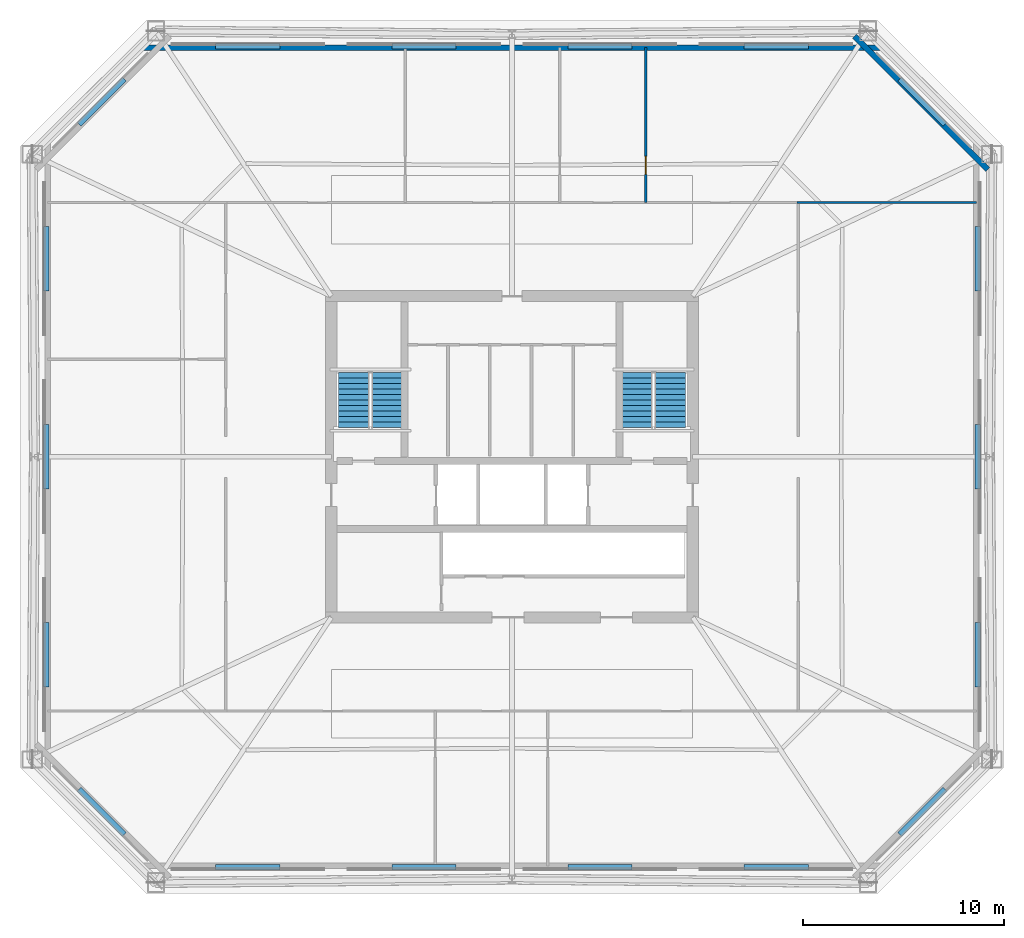
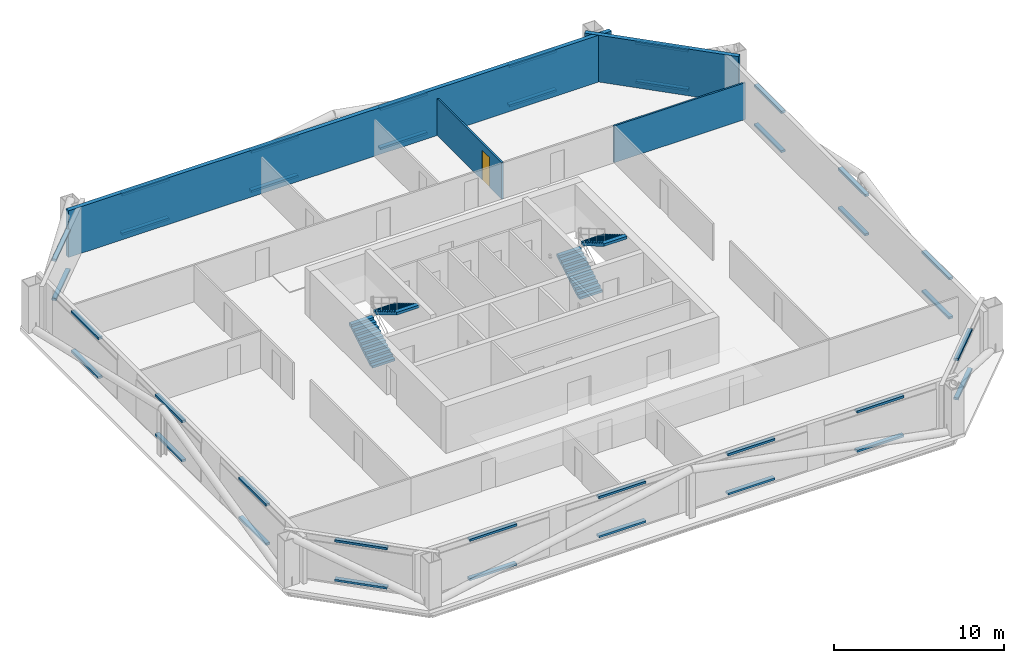
# One storey, part 4 of 6: 36 discrete accessories, 4 stair flights, 4 walls, 1 door, 1 opening, 2 elements without a shape of their own.
"""IFC4 building model written with IfcOpenShell, lengths in metres."""

from ifc_helpers import new_model, si_unit, direction, frame, frame_2d, origin, origin_2d, place, context, subcontext, project, spatial, polyline, rectangle, outline, extrude, material, layer, layer_set, type_object, element, fill, aggregate, save


model = new_model("IFC4")

# Units and contexts
model_context = context("Model", 3, precision=1e-05, world=origin(), true_north=direction((0.0, 1.0)))
body_context = subcontext(model_context, "Body", "Model", "MODEL_VIEW")
ifc_project = project(units=[si_unit("LENGTHUNIT", "METRE"), si_unit("AREAUNIT", "SQUARE_METRE"), si_unit("VOLUMEUNIT", "CUBIC_METRE"), si_unit("PLANEANGLEUNIT", "RADIAN"), si_unit("MASSUNIT", "GRAM", prefix="KILO")], contexts=[model_context])

# Site, building, storey
site_placement = place(None, origin())
site = spatial("IfcSite", under=ifc_project, at=site_placement, CompositionType="ELEMENT")
building_placement = place(site_placement, origin())
building = spatial("IfcBuilding", under=site, at=building_placement, Name="Caelvoria Tower", CompositionType="ELEMENT")
storey_placement = place(building_placement, frame((0.0, 0.0, 149.199951171875)))
storey = spatial("IfcBuildingStorey", under=building, at=storey_placement, Name="L39", CompositionType="ELEMENT", Elevation=149.199951171875)

# Walls
ifc_material_1 = material(Name="Precast Concrete C40/50 with Bronze Cladding", Category="concrete")
ifc_layer_1 = layer(ifc_material_1, 0.280029296875, Name="Precast Concrete C40/50 with Bronze Cladding")
ifc_layer_set_1 = layer_set([ifc_layer_1], Name="Exterior Precast Concrete C40/50 Bronze-Clad Facade Wall 280 - Precast Concrete C40/50 with Bronze Cladding")
wall_type_1 = type_object("IfcWallType", Name="Exterior Precast Concrete C40/50 Bronze-Clad Facade Wall 280", PredefinedType="STANDARD", material=ifc_layer_set_1)
wall_1_placement = place(storey_placement, frame((69.69384765625, 46.304443359375, 0.0), z_axis=(0.0, 0.0, 1.0), x_axis=(-0.707106781187, 0.707106781187, 0.0)))
element("IfcWall", 1, at=wall_1_placement, inside=storey, type_object=wall_type_1, Name="Exterior Facade Wall L39-E3", PredefinedType="STANDARD", context=body_context, shape_type="SweptSolid", body=[
    extrude(rectangle(XDim=9.3896484375, YDim=0.280029296875, at=frame_2d((4.69482421875, 0.0))), origin(), (0.0, 0.0, 1.0), 3.360107421875),
])
wall_2_placement = place(storey_placement, frame((64.43994140625, 52.3701171875, 0.0), z_axis=(0.0, 0.0, 1.0), x_axis=(-1.0, 0.0, 0.0)))
element("IfcWall", 2, at=wall_2_placement, inside=storey, type_object=wall_type_1, Name="Exterior Facade Wall L39-E4", PredefinedType="STANDARD", context=body_context, shape_type="SweptSolid", body=[
    extrude(rectangle(XDim=36.8798828125, YDim=0.280029296875, at=frame_2d((18.43994140625, 0.0))), origin(), (0.0, 0.0, 1.0), 3.360107421875),
])

# Wall, opening, door
ifc_material_2 = material(Name="Acoustic Gypsum Board on Light-Gauge Stud", Category="gypsum")
ifc_layer_2 = layer(ifc_material_2, 0.1201171875, Name="Acoustic Gypsum Board on Light-Gauge Stud")
ifc_layer_set_2 = layer_set([ifc_layer_2], Name="Tenant Suite Acoustic Partition Wall 120 - Acoustic Gypsum Board on Light-Gauge Stud")
wall_type_2 = type_object("IfcWallType", Name="Tenant Suite Acoustic Partition Wall 120", PredefinedType="PARTITIONING", material=ifc_layer_set_2)
wall_3_placement = place(storey_placement, frame((52.662109375, 44.659912109375, 0.0), z_axis=(0.0, 0.0, 1.0), x_axis=(0.0, 1.0, 0.0)))
wall_3 = element("IfcWall", 3, at=wall_3_placement, inside=storey, type_object=wall_type_2, Name="Interior Partition IW-L39-ND-02-0", PredefinedType="PARTITIONING", context=body_context, shape_type="SweptSolid", body=[
    extrude(rectangle(XDim=7.710205078125, YDim=0.1201171875, at=frame_2d((3.85498046875, 0.0))), origin(), (0.0, 0.0, 1.0), 2.64013671875),
])
opening_placement = place(wall_3_placement, frame((1.39990234375, 0.0, 0.0)))
opening = element("IfcOpeningElement", 4, at=opening_placement, cuts=wall_3, Name="Opening ID-06", PredefinedType="OPENING", context=body_context, shape_type="SweptSolid", body=[
    extrude(rectangle(XDim=0.89990234375, YDim=2.14990234375, at=frame_2d((0.449951171875, 1.074951171875))), frame((0.0, 0.070068359375, 0.0), z_axis=(0.0, -1.0, 0.0), x_axis=(1.0, 0.0, 0.0)), (0.0, 0.0, 1.0), 0.14013671875),
])
ifc_material_3 = material(Name="Engineered Andean Oak Veneer Door", Category="wood")
door_type = type_object("IfcDoorType", Name="Interior Timber Door 900x2150", OperationType="NOTDEFINED", PredefinedType="DOOR", material=ifc_material_3)
door_placement = place(opening_placement, origin())
door = element("IfcDoor", 5, at=door_placement, inside=storey, type_object=door_type, Name="Interior Door DR-L39-NM-02-0", OperationType="SINGLE_SWING_RIGHT", OverallHeight=2.14990234375, OverallWidth=0.89990234375, PredefinedType="DOOR", context=body_context, shape_type="SweptSolid", body=[
    extrude(rectangle(XDim=0.89990234375, YDim=2.14990234375, at=frame_2d((0.449951171875, 1.074951171875))), frame((0.0, 0.02490234375, 0.0), z_axis=(0.0, -1.0, 0.0), x_axis=(1.0, 0.0, 0.0)), (0.0, 0.0, 1.0), 0.050048828125),
])
fill(opening, door)

# Wall
wall_4_placement = place(storey_placement, frame((60.199951171875, 44.659912109375, 0.0), z_axis=(0.0, 0.0, 1.0), x_axis=(1.0, 0.0, 0.0)))
element("IfcWall", 6, at=wall_4_placement, inside=storey, type_object=wall_type_2, Name="Interior Partition IW-L39-BNE-0", PredefinedType="PARTITIONING", context=body_context, shape_type="SweptSolid", body=[
    extrude(rectangle(XDim=8.920166015625, YDim=0.1201171875, at=frame_2d((4.4599609375, 0.0))), origin(), (0.0, 0.0, 1.0), 2.64013671875),
])

# Stair, stair flights
ifc_material_4 = material(Name="Concrete C40/50", Category="concrete")
stair_type = type_object("IfcStairType", Name="Core Smokeproof Dogleg Stair Concrete C40/50", PredefinedType="HALF_TURN_STAIR", material=ifc_material_4)
stair_1_placement = place(storey_placement, origin())
stair_1 = element("IfcStair", 7, at=stair_1_placement, inside=storey, type_object=stair_type, Name="ST-01 Smokeproof Exit Stair L39", PredefinedType="HALF_TURN_STAIR")
ifc_material_5 = material(Name="Precast Concrete C40/50", Category="concrete")
stair_flight_type = type_object("IfcStairFlightType", Name="Precast Concrete C40/50 Stair Flight 1480", PredefinedType="STRAIGHT", material=ifc_material_5)
stair_flight_1_placement = place(storey_placement, frame((38.1298828125, 33.449951171875, 0.0), z_axis=(0.0, 0.0, 1.0), x_axis=(0.0, 1.0, 0.0)))
stair_flight_1 = element("IfcStairFlight", 8, at=stair_flight_1_placement, type_object=stair_flight_type, Name="ST-01 flight 1", NumberOfRisers=11, NumberOfTreads=10, PredefinedType="STRAIGHT", RiserHeight=0.1636, TreadLength=0.275, context=body_context, shape_type="SweptSolid", body=[
    extrude(outline(polyline([(0.0, 0.0), (0.0, 0.16357421875), (0.27490234375, 0.16357421875), (0.27490234375, 0.3271484375), (0.550048828125, 0.3271484375), (0.550048828125, 0.49072265625), (0.824951171875, 0.49072265625), (0.824951171875, 0.654296875), (1.10009765625, 0.654296875), (1.10009765625, 0.818115234375), (1.375, 0.818115234375), (1.375, 0.981689453125), (1.64990234375, 0.981689453125), (1.64990234375, 1.145263671875), (1.925048828125, 1.145263671875), (1.925048828125, 1.308837890625), (2.199951171875, 1.308837890625), (2.199951171875, 1.472412109375), (2.47509765625, 1.472412109375), (2.47509765625, 1.635986328125), (2.75, 1.635986328125), (2.75, 1.799560546875), (2.75, 1.449951171875), (0.312744140625, 0.0), (0.0, 0.0)])), frame((0.0, 0.77001953125, 0.0), z_axis=(0.0, -1.0, 0.0), x_axis=(1.0, 0.0, 0.0)), (0.0, 0.0, 1.0), 1.5400390625),
])
stair_flight_2_placement = place(storey_placement, frame((39.77001953125, 36.199951171875, 1.800048828125), z_axis=(0.0, 0.0, 1.0), x_axis=(0.0, -1.0, 0.0)))
stair_flight_2 = element("IfcStairFlight", 9, at=stair_flight_2_placement, type_object=stair_flight_type, Name="ST-01 flight 2", NumberOfRisers=11, NumberOfTreads=10, PredefinedType="STRAIGHT", RiserHeight=0.1636, TreadLength=0.275, context=body_context, shape_type="SweptSolid", body=[
    extrude(outline(polyline([(0.0, 0.0), (0.0, 0.16357421875), (0.27490234375, 0.16357421875), (0.27490234375, 0.3271484375), (0.550048828125, 0.3271484375), (0.550048828125, 0.49072265625), (0.824951171875, 0.49072265625), (0.824951171875, 0.654296875), (1.10009765625, 0.654296875), (1.10009765625, 0.818115234375), (1.375, 0.818115234375), (1.375, 0.981689453125), (1.64990234375, 0.981689453125), (1.64990234375, 1.145263671875), (1.925048828125, 1.145263671875), (1.925048828125, 1.308837890625), (2.199951171875, 1.308837890625), (2.199951171875, 1.472412109375), (2.47509765625, 1.472412109375), (2.47509765625, 1.635986328125), (2.75, 1.635986328125), (2.75, 1.799560546875), (2.75, 1.449951171875), (0.312744140625, 0.0), (0.0, 0.0)])), frame((0.0, 0.77001953125, 0.0), z_axis=(0.0, -1.0, 0.0), x_axis=(1.0, 0.0, 0.0)), (0.0, 0.0, 1.0), 1.5400390625),
])
aggregate(stair_1, [stair_flight_1, stair_flight_2])

stair_2_placement = place(storey_placement, origin())
stair_2 = element("IfcStair", 10, at=stair_2_placement, inside=storey, type_object=stair_type, Name="ST-02 Smokeproof Exit Stair L39", PredefinedType="HALF_TURN_STAIR")
stair_flight_3_placement = place(storey_placement, frame((52.22998046875, 33.449951171875, 0.0), z_axis=(0.0, 0.0, 1.0), x_axis=(0.0, 1.0, 0.0)))
stair_flight_3 = element("IfcStairFlight", 11, at=stair_flight_3_placement, type_object=stair_flight_type, Name="ST-02 flight 1", NumberOfRisers=11, NumberOfTreads=10, PredefinedType="STRAIGHT", RiserHeight=0.1636, TreadLength=0.275, context=body_context, shape_type="SweptSolid", body=[
    extrude(outline(polyline([(0.0, 0.0), (0.0, 0.16357421875), (0.27490234375, 0.16357421875), (0.27490234375, 0.3271484375), (0.550048828125, 0.3271484375), (0.550048828125, 0.49072265625), (0.824951171875, 0.49072265625), (0.824951171875, 0.654296875), (1.10009765625, 0.654296875), (1.10009765625, 0.818115234375), (1.375, 0.818115234375), (1.375, 0.981689453125), (1.64990234375, 0.981689453125), (1.64990234375, 1.145263671875), (1.925048828125, 1.145263671875), (1.925048828125, 1.308837890625), (2.199951171875, 1.308837890625), (2.199951171875, 1.472412109375), (2.47509765625, 1.472412109375), (2.47509765625, 1.635986328125), (2.75, 1.635986328125), (2.75, 1.799560546875), (2.75, 1.449951171875), (0.312744140625, 0.0), (0.0, 0.0)])), frame((0.0, 0.77001953125, 0.0), z_axis=(0.0, -1.0, 0.0), x_axis=(1.0, 0.0, 0.0)), (0.0, 0.0, 1.0), 1.5400390625),
])
stair_flight_4_placement = place(storey_placement, frame((53.8701171875, 36.199951171875, 1.800048828125), z_axis=(0.0, 0.0, 1.0), x_axis=(0.0, -1.0, 0.0)))
stair_flight_4 = element("IfcStairFlight", 12, at=stair_flight_4_placement, type_object=stair_flight_type, Name="ST-02 flight 2", NumberOfRisers=11, NumberOfTreads=10, PredefinedType="STRAIGHT", RiserHeight=0.1636, TreadLength=0.275, context=body_context, shape_type="SweptSolid", body=[
    extrude(outline(polyline([(0.0, 0.0), (0.0, 0.16357421875), (0.27490234375, 0.16357421875), (0.27490234375, 0.3271484375), (0.550048828125, 0.3271484375), (0.550048828125, 0.49072265625), (0.824951171875, 0.49072265625), (0.824951171875, 0.654296875), (1.10009765625, 0.654296875), (1.10009765625, 0.818115234375), (1.375, 0.818115234375), (1.375, 0.981689453125), (1.64990234375, 0.981689453125), (1.64990234375, 1.145263671875), (1.925048828125, 1.145263671875), (1.925048828125, 1.308837890625), (2.199951171875, 1.308837890625), (2.199951171875, 1.472412109375), (2.47509765625, 1.472412109375), (2.47509765625, 1.635986328125), (2.75, 1.635986328125), (2.75, 1.799560546875), (2.75, 1.449951171875), (0.312744140625, 0.0), (0.0, 0.0)])), frame((0.0, 0.77001953125, 0.0), z_axis=(0.0, -1.0, 0.0), x_axis=(1.0, 0.0, 0.0)), (0.0, 0.0, 1.0), 1.5400390625),
])
aggregate(stair_2, [stair_flight_3, stair_flight_4])

# Discrete accessories
ifc_material_6 = material(Name="Anodised Bronze Stainless Bracket", Category="bronze")
discrete_accessory_type = type_object("IfcDiscreteAccessoryType", Name="Solar Screen Outrigger Support Bracket", PredefinedType="BRACKET", material=ifc_material_6)
for number, where, z_axis, x_axis, name in (
    (13, (32.844970703125, 11.552978515625, 0.240234375), (0.0, 0.0, 1.0), (1.0, 0.0, 0.0), "Solar Screen Bracket L39-E0-00"),
    (14, (32.844970703125, 11.552978515625, 3.06005859375), (0.0, 0.0, 1.0), (1.0, 0.0, 0.0), "Upper Screen Band Bracket L39-E0-00"),
    (15, (41.614990234375, 11.552978515625, 0.240234375), (0.0, 0.0, 1.0), (1.0, 0.0, 0.0), "Solar Screen Bracket L39-E0-01"),
    (16, (41.614990234375, 11.552978515625, 3.06005859375), (0.0, 0.0, 1.0), (1.0, 0.0, 0.0), "Upper Screen Band Bracket L39-E0-01"),
    (17, (50.385009765625, 11.552978515625, 0.240234375), (0.0, 0.0, 1.0), (1.0, 0.0, 0.0), "Solar Screen Bracket L39-E0-02"),
    (18, (50.385009765625, 11.552978515625, 3.06005859375), (0.0, 0.0, 1.0), (1.0, 0.0, 0.0), "Upper Screen Band Bracket L39-E0-02"),
    (19, (59.155029296875, 11.552978515625, 0.240234375), (0.0, 0.0, 1.0), (1.0, 0.0, 0.0), "Solar Screen Bracket L39-E0-03"),
    (20, (59.155029296875, 11.552978515625, 3.06005859375), (0.0, 0.0, 1.0), (1.0, 0.0, 0.0), "Upper Screen Band Bracket L39-E0-03"),
    (21, (66.4287109375, 14.3212890625, 0.240234375), (0.0, 0.0, 1.0), (0.707106781187, 0.707106781187, 0.0), "Solar Screen Bracket L39-E1-00"),
    (22, (66.4287109375, 14.3212890625, 3.06005859375), (0.0, 0.0, 1.0), (0.707106781187, 0.707106781187, 0.0), "Upper Screen Band Bracket L39-E1-00"),
    (23, (69.197021484375, 22.139892578125, 0.240234375), (0.0, 0.0, 1.0), (0.0, 1.0, 0.0), "Solar Screen Bracket L39-E2-00"),
    (24, (69.197021484375, 22.139892578125, 3.06005859375), (0.0, 0.0, 1.0), (0.0, 1.0, 0.0), "Upper Screen Band Bracket L39-E2-00"),
    (25, (69.197021484375, 32.0, 0.240234375), (0.0, 0.0, 1.0), (0.0, 1.0, 0.0), "Solar Screen Bracket L39-E2-01"),
    (26, (69.197021484375, 32.0, 3.06005859375), (0.0, 0.0, 1.0), (0.0, 1.0, 0.0), "Upper Screen Band Bracket L39-E2-01"),
    (27, (69.197021484375, 41.860107421875, 0.240234375), (0.0, 0.0, 1.0), (0.0, 1.0, 0.0), "Solar Screen Bracket L39-E2-02"),
    (28, (69.197021484375, 41.860107421875, 3.06005859375), (0.0, 0.0, 1.0), (0.0, 1.0, 0.0), "Upper Screen Band Bracket L39-E2-02"),
    (29, (66.4287109375, 49.6787109375, 0.240234375), (0.0, 0.0, 1.0), (-0.707106781187, 0.707106781187, 0.0), "Solar Screen Bracket L39-E3-00"),
    (30, (66.4287109375, 49.6787109375, 3.06005859375), (0.0, 0.0, 1.0), (-0.707106781187, 0.707106781187, 0.0), "Upper Screen Band Bracket L39-E3-00"),
    (31, (59.155029296875, 52.447021484375, 0.240234375), (0.0, 0.0, 1.0), (-1.0, 0.0, 0.0), "Solar Screen Bracket L39-E4-00"),
    (32, (59.155029296875, 52.447021484375, 3.06005859375), (0.0, 0.0, 1.0), (-1.0, 0.0, 0.0), "Upper Screen Band Bracket L39-E4-00"),
    (33, (50.385009765625, 52.447021484375, 0.240234375), (0.0, 0.0, 1.0), (-1.0, 0.0, 0.0), "Solar Screen Bracket L39-E4-01"),
    (34, (50.385009765625, 52.447021484375, 3.06005859375), (0.0, 0.0, 1.0), (-1.0, 0.0, 0.0), "Upper Screen Band Bracket L39-E4-01"),
    (35, (41.614990234375, 52.447021484375, 0.240234375), (0.0, 0.0, 1.0), (-1.0, 0.0, 0.0), "Solar Screen Bracket L39-E4-02"),
    (36, (41.614990234375, 52.447021484375, 3.06005859375), (0.0, 0.0, 1.0), (-1.0, 0.0, 0.0), "Upper Screen Band Bracket L39-E4-02"),
    (37, (32.844970703125, 52.447021484375, 0.240234375), (0.0, 0.0, 1.0), (-1.0, 0.0, 0.0), "Solar Screen Bracket L39-E4-03"),
    (38, (32.844970703125, 52.447021484375, 3.06005859375), (0.0, 0.0, 1.0), (-1.0, 0.0, 0.0), "Upper Screen Band Bracket L39-E4-03"),
    (39, (25.5712890625, 49.6787109375, 0.240234375), (0.0, 0.0, 1.0), (-0.707106781187, -0.707106781187, 0.0), "Solar Screen Bracket L39-E5-00"),
    (40, (25.5712890625, 49.6787109375, 3.06005859375), (0.0, 0.0, 1.0), (-0.707106781187, -0.707106781187, 0.0), "Upper Screen Band Bracket L39-E5-00"),
    (41, (22.802978515625, 41.860107421875, 0.240234375), (0.0, 0.0, 1.0), (0.0, -1.0, 0.0), "Solar Screen Bracket L39-E6-00"),
    (42, (22.802978515625, 41.860107421875, 3.06005859375), (0.0, 0.0, 1.0), (0.0, -1.0, 0.0), "Upper Screen Band Bracket L39-E6-00"),
    (43, (22.802978515625, 32.0, 0.240234375), (0.0, 0.0, 1.0), (0.0, -1.0, 0.0), "Solar Screen Bracket L39-E6-01"),
    (44, (22.802978515625, 32.0, 3.06005859375), (0.0, 0.0, 1.0), (0.0, -1.0, 0.0), "Upper Screen Band Bracket L39-E6-01"),
    (45, (22.802978515625, 22.139892578125, 0.240234375), (0.0, 0.0, 1.0), (0.0, -1.0, 0.0), "Solar Screen Bracket L39-E6-02"),
    (46, (22.802978515625, 22.139892578125, 3.06005859375), (0.0, 0.0, 1.0), (0.0, -1.0, 0.0), "Upper Screen Band Bracket L39-E6-02"),
    (47, (25.5712890625, 14.3212890625, 0.240234375), (0.0, 0.0, 1.0), (0.707106781187, -0.707106781187, 0.0), "Solar Screen Bracket L39-E7-00"),
    (48, (25.5712890625, 14.3212890625, 3.06005859375), (0.0, 0.0, 1.0), (0.707106781187, -0.707106781187, 0.0), "Upper Screen Band Bracket L39-E7-00"),
):
    element("IfcDiscreteAccessory", number, at=place(storey_placement, frame(where, z_axis=z_axis, x_axis=x_axis)), inside=storey, type_object=discrete_accessory_type, Name=name, PredefinedType="BRACKET", context=body_context, shape_type="SweptSolid", body=[
        extrude(rectangle(XDim=3.199951171875, YDim=0.280029296875, at=origin_2d()), origin(), (0.0, 0.0, 1.0), 0.159912109375),
    ])

save(model, "model.ifc")
